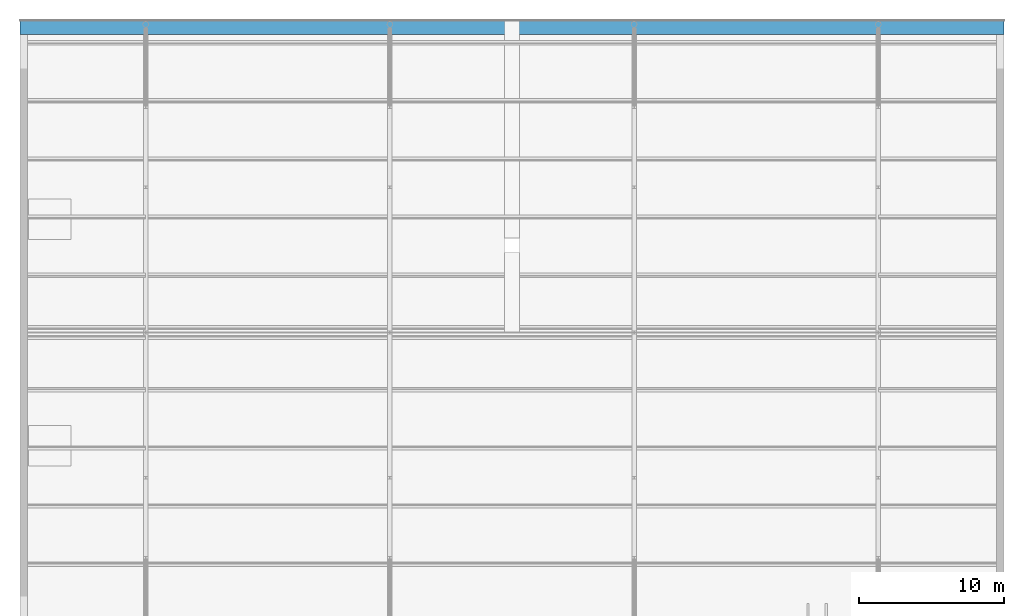
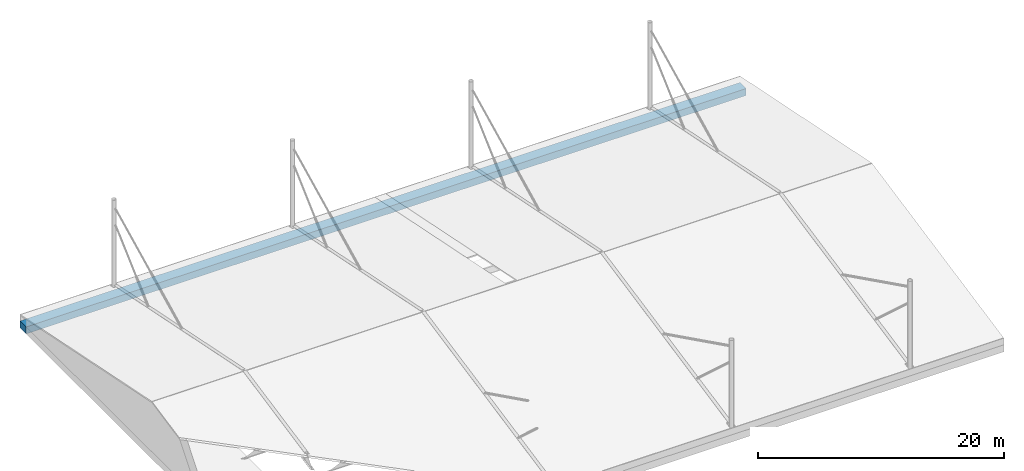
# One storey, part 6 of 8: 1 beam.
"""IFC4 building model written with IfcOpenShell, lengths in metres."""

from ifc_helpers import new_model, si_unit, direction, frame, origin, origin_2d, place, context, subcontext, project, spatial, rectangle, extrude, material, material_profile, profile_set, type_object, element, save


model = new_model("IFC4")

# Units and contexts
model_context = context("Model", 3, precision=1e-05, world=origin(), true_north=direction((0.0, 1.0)))
body_context = subcontext(model_context, "Body", "Model", "MODEL_VIEW")
ifc_project = project(units=[si_unit("LENGTHUNIT", "METRE"), si_unit("AREAUNIT", "SQUARE_METRE"), si_unit("VOLUMEUNIT", "CUBIC_METRE"), si_unit("PLANEANGLEUNIT", "RADIAN"), si_unit("MASSUNIT", "GRAM", prefix="KILO")], contexts=[model_context])

# Site, building, storey
site_placement = place(None, origin())
site = spatial("IfcSite", under=ifc_project, at=site_placement, CompositionType="ELEMENT")
building_placement = place(site_placement, origin())
building = spatial("IfcBuilding", under=site, at=building_placement, Name="Ljudholm Concert House", CompositionType="ELEMENT")
storey_placement = place(building_placement, frame((0.0, 0.0, 22.800048828125)))
storey = spatial("IfcBuildingStorey", under=building, at=storey_placement, Name="ROOF", CompositionType="ELEMENT", Elevation=22.800048828125)

# Beam
ifc_material = material(Name="Concrete 6,500 psi", Category="concrete")
ifc_material_profile = material_profile(ifc_material, rectangle(XDim=1.0, YDim=0.699951171875, at=origin_2d()), Name="RC BEAM 1000x700 BEAM")
ifc_profile_set = profile_set([ifc_material_profile], Name="Concrete 6,500 psi")
beam_type = type_object("IfcBeamType", Name="RC BEAM 1000x700 BEAM", PredefinedType="BEAM", material=ifc_profile_set)
beam_placement = place(storey_placement, frame((28.949951171875, 96.39990234375, 0.349853515625), z_axis=(1.0, 0.0, 0.0), x_axis=(0.0, 1.0, 0.0)))
element("IfcBeam", 1, at=beam_placement, inside=storey, type_object=beam_type, Name="Roof ring beam N", PredefinedType="BEAM", context=body_context, shape_type="SweptSolid", body=[
    extrude(rectangle(XDim=1.0, YDim=0.699951171875, at=origin_2d()), origin(), (0.0, 0.0, 1.0), 67.699951171875),
])

save(model, "model.ifc")
